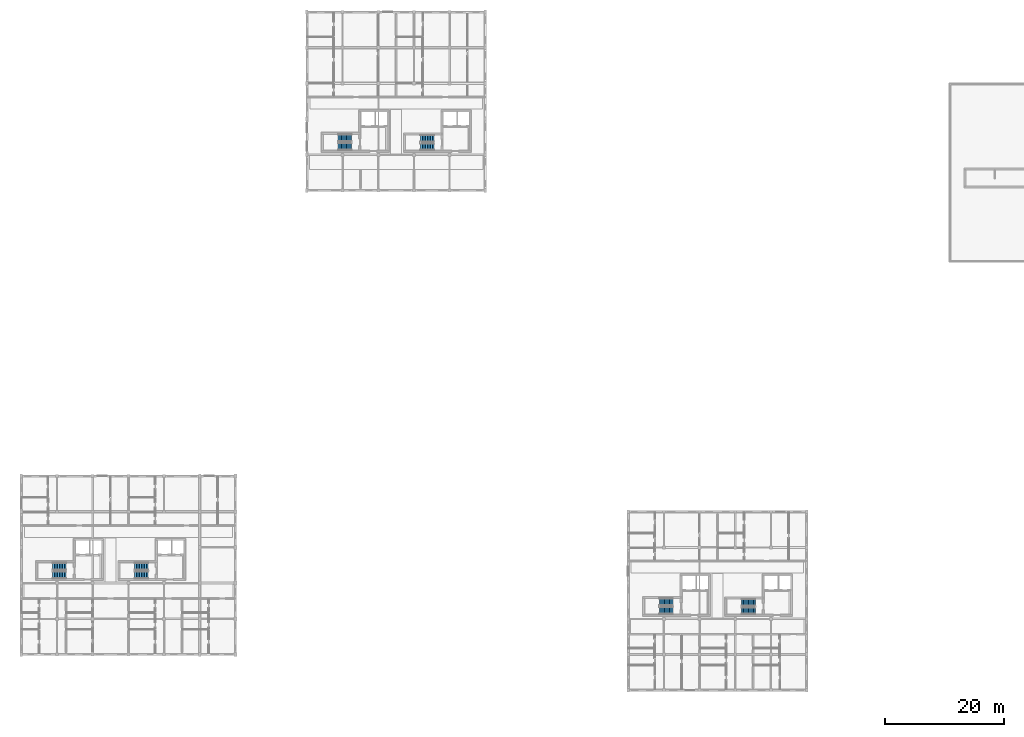
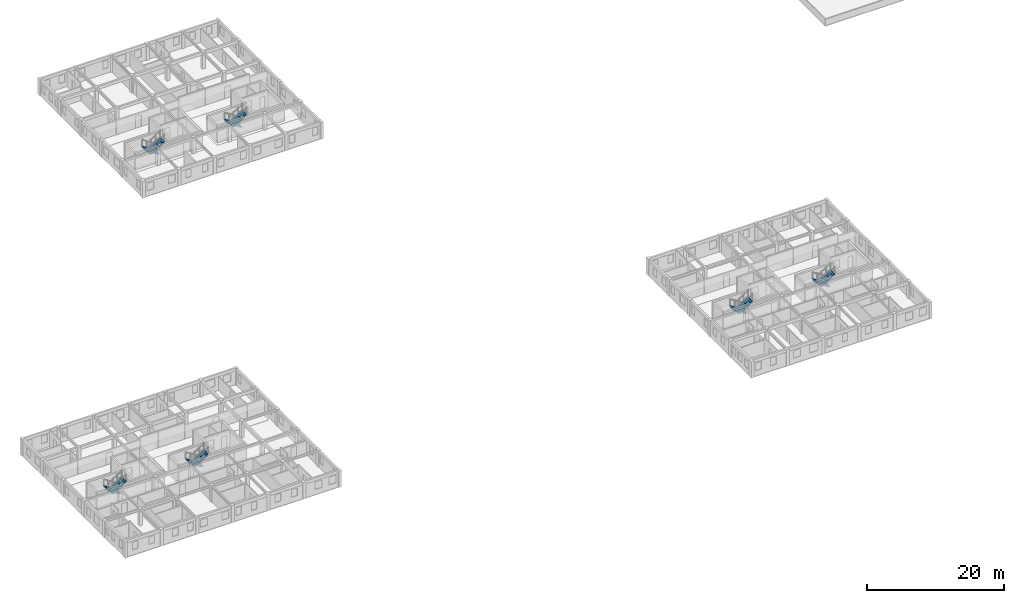
# One storey, part 19 of 23: 12 stair flights, 6 elements without a shape of their own.
"""IFC4 building model written with IfcOpenShell, lengths in metres."""

from ifc_helpers import new_model, si_unit, direction, frame, origin, place, context, subcontext, project, spatial, polyline, outline, extrude, material, type_object, element, aggregate, save


model = new_model("IFC4")

# Units and contexts
model_context = context("Model", 3, precision=1e-05, world=origin(), true_north=direction((0.0, 1.0)))
body_context = subcontext(model_context, "Body", "Model", "MODEL_VIEW")
ifc_project = project(units=[si_unit("LENGTHUNIT", "METRE"), si_unit("AREAUNIT", "SQUARE_METRE"), si_unit("VOLUMEUNIT", "CUBIC_METRE"), si_unit("PLANEANGLEUNIT", "RADIAN"), si_unit("MASSUNIT", "GRAM", prefix="KILO"), si_unit("POWERUNIT", "WATT"), si_unit("THERMODYNAMICTEMPERATUREUNIT", "KELVIN")], contexts=[model_context])

# Site, building, storey
site_placement = place(None, origin())
site = spatial("IfcSite", under=ifc_project, at=site_placement, CompositionType="ELEMENT")
building_placement = place(site_placement, origin())
building = spatial("IfcBuilding", under=site, at=building_placement, Name="Ruvembo Vaulted Housing Court", CompositionType="ELEMENT")
storey_placement = place(building_placement, frame((0.0, 0.0, 26.89990234375)))
storey = spatial("IfcBuildingStorey", under=building, at=storey_placement, Name="L08", CompositionType="ELEMENT", Elevation=26.89990234375)

# Stair, stair flights
ifc_material = material(Name="Concrete C35/45", Category="concrete")
stair_type_1 = type_object("IfcStairType", Name="STR-CORE-1200", PredefinedType="HALF_TURN_STAIR", material=ifc_material)
stair_1_placement = place(storey_placement, origin())
stair_1 = element("IfcStair", 1, at=stair_1_placement, inside=storey, type_object=stair_type_1, Name="L08 Protected Exit Stair ST-B2", PredefinedType="HALF_TURN_STAIR")
stair_flight_type_1 = type_object("IfcStairFlightType", Name="SFL-1200", PredefinedType="STRAIGHT", material=ifc_material)
stair_flight_1_placement = place(storey_placement, frame((69.35009765625, 92.75, 0.0), z_axis=(0.0, 0.0, 1.0), x_axis=(-1.0, 0.0, 0.0)))
stair_flight_1 = element("IfcStairFlight", 2, at=stair_flight_1_placement, type_object=stair_flight_type_1, Name="ST-B2 flight 1", NumberOfRisers=9, NumberOfTreads=8, PredefinedType="STRAIGHT", RiserHeight=0.177777778, TreadLength=0.28, context=body_context, shape_type="SweptSolid", body=[
    extrude(outline(polyline([(-0.02490234375, -0.0400390625), (-0.02490234375, 0.0), (0.0, 0.0), (0.0, 0.177734375), (0.280029296875, 0.177734375), (0.280029296875, 0.35546875), (0.56005859375, 0.35546875), (0.56005859375, 0.533447265625), (0.840087890625, 0.533447265625), (0.840087890625, 0.711181640625), (1.1201171875, 0.711181640625), (1.1201171875, 0.888916015625), (1.39990234375, 0.888916015625), (1.39990234375, 1.066650390625), (1.679931640625, 1.066650390625), (1.679931640625, 1.244384765625), (1.9599609375, 1.244384765625), (1.9599609375, 1.422119140625), (2.239990234375, 1.422119140625), (2.239990234375, 1.60009765625), (2.264892578125, 1.60009765625), (2.264892578125, 1.4501953125), (2.239990234375, 1.24462890625), (0.27978515625, 0.0), (0.0, -0.0400390625), (-0.02490234375, -0.0400390625)])), frame((0.0, 0.60009765625, 0.0), z_axis=(0.0, -1.0, 0.0), x_axis=(1.0, 0.0, 0.0)), (0.0, 0.0, 1.0), 1.199951171875),
])
stair_flight_2_placement = place(storey_placement, frame((67.110107421875, 91.35009765625, 1.60009765625), z_axis=(0.0, 0.0, 1.0), x_axis=(1.0, 0.0, 0.0)))
stair_flight_2 = element("IfcStairFlight", 3, at=stair_flight_2_placement, type_object=stair_flight_type_1, Name="ST-B2 flight 2", NumberOfRisers=9, NumberOfTreads=8, PredefinedType="STRAIGHT", RiserHeight=0.177777778, TreadLength=0.28, context=body_context, shape_type="SweptSolid", body=[
    extrude(outline(polyline([(-0.02490234375, -0.0400390625), (-0.02490234375, 0.0), (0.0, 0.0), (0.0, 0.177734375), (0.280029296875, 0.177734375), (0.280029296875, 0.35546875), (0.56005859375, 0.35546875), (0.56005859375, 0.533447265625), (0.840087890625, 0.533447265625), (0.840087890625, 0.711181640625), (1.1201171875, 0.711181640625), (1.1201171875, 0.888916015625), (1.39990234375, 0.888916015625), (1.39990234375, 1.066650390625), (1.679931640625, 1.066650390625), (1.679931640625, 1.244384765625), (1.9599609375, 1.244384765625), (1.9599609375, 1.422119140625), (2.239990234375, 1.422119140625), (2.239990234375, 1.60009765625), (2.264892578125, 1.60009765625), (2.264892578125, 1.4501953125), (2.239990234375, 1.24462890625), (0.27978515625, 0.0), (0.0, -0.0400390625), (-0.02490234375, -0.0400390625)])), frame((0.0, 0.60009765625, 0.0), z_axis=(0.0, -1.0, 0.0), x_axis=(1.0, 0.0, 0.0)), (0.0, 0.0, 1.0), 1.199951171875),
])
aggregate(stair_1, [stair_flight_1, stair_flight_2])

stair_2_placement = place(storey_placement, origin())
stair_2 = element("IfcStair", 4, at=stair_2_placement, inside=storey, type_object=stair_type_1, Name="L08 Protected Exit Stair ST-C2", PredefinedType="HALF_TURN_STAIR")
stair_flight_3_placement = place(storey_placement, frame((123.35009765625, 14.75, 0.0), z_axis=(0.0, 0.0, 1.0), x_axis=(-1.0, 0.0, 0.0)))
stair_flight_3 = element("IfcStairFlight", 5, at=stair_flight_3_placement, type_object=stair_flight_type_1, Name="ST-C2 flight 1", NumberOfRisers=9, NumberOfTreads=8, PredefinedType="STRAIGHT", RiserHeight=0.177777778, TreadLength=0.28, context=body_context, shape_type="SweptSolid", body=[
    extrude(outline(polyline([(-0.02490234375, -0.0400390625), (-0.02490234375, 0.0), (0.0, 0.0), (0.0, 0.177734375), (0.280029296875, 0.177734375), (0.280029296875, 0.35546875), (0.56005859375, 0.35546875), (0.56005859375, 0.533447265625), (0.840087890625, 0.533447265625), (0.840087890625, 0.711181640625), (1.1201171875, 0.711181640625), (1.1201171875, 0.888916015625), (1.39990234375, 0.888916015625), (1.39990234375, 1.066650390625), (1.679931640625, 1.066650390625), (1.679931640625, 1.244384765625), (1.9599609375, 1.244384765625), (1.9599609375, 1.422119140625), (2.239990234375, 1.422119140625), (2.239990234375, 1.60009765625), (2.264892578125, 1.60009765625), (2.264892578125, 1.4501953125), (2.239990234375, 1.24462890625), (0.27978515625, 0.0), (0.0, -0.0400390625), (-0.02490234375, -0.0400390625)])), frame((0.0, 0.60009765625, 0.0), z_axis=(0.0, -1.0, 0.0), x_axis=(1.0, 0.0, 0.0)), (0.0, 0.0, 1.0), 1.199951171875),
])
stair_flight_4_placement = place(storey_placement, frame((121.110107421875, 13.35009765625, 1.60009765625), z_axis=(0.0, 0.0, 1.0), x_axis=(1.0, 0.0, 0.0)))
stair_flight_4 = element("IfcStairFlight", 6, at=stair_flight_4_placement, type_object=stair_flight_type_1, Name="ST-C2 flight 2", NumberOfRisers=9, NumberOfTreads=8, PredefinedType="STRAIGHT", RiserHeight=0.177777778, TreadLength=0.28, context=body_context, shape_type="SweptSolid", body=[
    extrude(outline(polyline([(-0.02490234375, -0.0400390625), (-0.02490234375, 0.0), (0.0, 0.0), (0.0, 0.177734375), (0.280029296875, 0.177734375), (0.280029296875, 0.35546875), (0.56005859375, 0.35546875), (0.56005859375, 0.533447265625), (0.840087890625, 0.533447265625), (0.840087890625, 0.711181640625), (1.1201171875, 0.711181640625), (1.1201171875, 0.888916015625), (1.39990234375, 0.888916015625), (1.39990234375, 1.066650390625), (1.679931640625, 1.066650390625), (1.679931640625, 1.244384765625), (1.9599609375, 1.244384765625), (1.9599609375, 1.422119140625), (2.239990234375, 1.422119140625), (2.239990234375, 1.60009765625), (2.264892578125, 1.60009765625), (2.264892578125, 1.4501953125), (2.239990234375, 1.24462890625), (0.27978515625, 0.0), (0.0, -0.0400390625), (-0.02490234375, -0.0400390625)])), frame((0.0, 0.60009765625, 0.0), z_axis=(0.0, -1.0, 0.0), x_axis=(1.0, 0.0, 0.0)), (0.0, 0.0, 1.0), 1.199951171875),
])
aggregate(stair_2, [stair_flight_3, stair_flight_4])

stair_type_2 = type_object("IfcStairType", Name="STR-CORE-1250", PredefinedType="HALF_TURN_STAIR", material=ifc_material)
stair_3_placement = place(storey_placement, origin())
stair_3 = element("IfcStair", 7, at=stair_3_placement, inside=storey, type_object=stair_type_2, Name="L08 Protected Exit Stair ST-A1", PredefinedType="HALF_TURN_STAIR")
stair_flight_type_2 = type_object("IfcStairFlightType", Name="SFL-1250", PredefinedType="STRAIGHT", material=ifc_material)
stair_flight_5_placement = place(storey_placement, frame((7.5, 20.824951171875, 0.0), z_axis=(0.0, 0.0, 1.0), x_axis=(-1.0, 0.0, 0.0)))
stair_flight_5 = element("IfcStairFlight", 8, at=stair_flight_5_placement, type_object=stair_flight_type_2, Name="ST-A1 flight 1", NumberOfRisers=9, NumberOfTreads=8, PredefinedType="STRAIGHT", RiserHeight=0.177777778, TreadLength=0.28, context=body_context, shape_type="SweptSolid", body=[
    extrude(outline(polyline([(-0.02490234375, -0.0400390625), (-0.02490234375, 0.0), (0.0, 0.0), (0.0, 0.177734375), (0.280029296875, 0.177734375), (0.280029296875, 0.35546875), (0.56005859375, 0.35546875), (0.56005859375, 0.533447265625), (0.840087890625, 0.533447265625), (0.840087890625, 0.711181640625), (1.1201171875, 0.711181640625), (1.1201171875, 0.888916015625), (1.39990234375, 0.888916015625), (1.39990234375, 1.066650390625), (1.679931640625, 1.066650390625), (1.679931640625, 1.244384765625), (1.9599609375, 1.244384765625), (1.9599609375, 1.422119140625), (2.239990234375, 1.422119140625), (2.239990234375, 1.60009765625), (2.264892578125, 1.60009765625), (2.264892578125, 1.4501953125), (2.239990234375, 1.24462890625), (0.27978515625, 0.0), (0.0, -0.0400390625), (-0.02490234375, -0.0400390625)])), frame((0.0, 0.625, 0.0), z_axis=(0.0, -1.0, 0.0), x_axis=(1.0, 0.0, 0.0)), (0.0, 0.0, 1.0), 1.25),
])
stair_flight_6_placement = place(storey_placement, frame((5.260009765625, 19.375, 1.60009765625), z_axis=(0.0, 0.0, 1.0), x_axis=(1.0, 0.0, 0.0)))
stair_flight_6 = element("IfcStairFlight", 9, at=stair_flight_6_placement, type_object=stair_flight_type_2, Name="ST-A1 flight 2", NumberOfRisers=9, NumberOfTreads=8, PredefinedType="STRAIGHT", RiserHeight=0.177777778, TreadLength=0.28, context=body_context, shape_type="SweptSolid", body=[
    extrude(outline(polyline([(-0.02490234375, -0.0400390625), (-0.02490234375, 0.0), (0.0, 0.0), (0.0, 0.177734375), (0.280029296875, 0.177734375), (0.280029296875, 0.35546875), (0.56005859375, 0.35546875), (0.56005859375, 0.533447265625), (0.840087890625, 0.533447265625), (0.840087890625, 0.711181640625), (1.1201171875, 0.711181640625), (1.1201171875, 0.888916015625), (1.39990234375, 0.888916015625), (1.39990234375, 1.066650390625), (1.679931640625, 1.066650390625), (1.679931640625, 1.244384765625), (1.9599609375, 1.244384765625), (1.9599609375, 1.422119140625), (2.239990234375, 1.422119140625), (2.239990234375, 1.60009765625), (2.264892578125, 1.60009765625), (2.264892578125, 1.4501953125), (2.239990234375, 1.24462890625), (0.27978515625, 0.0), (0.0, -0.0400390625), (-0.02490234375, -0.0400390625)])), frame((0.0, 0.625, 0.0), z_axis=(0.0, -1.0, 0.0), x_axis=(1.0, 0.0, 0.0)), (0.0, 0.0, 1.0), 1.25),
])
aggregate(stair_3, [stair_flight_5, stair_flight_6])

stair_4_placement = place(storey_placement, origin())
stair_4 = element("IfcStair", 10, at=stair_4_placement, inside=storey, type_object=stair_type_2, Name="L08 Protected Exit Stair ST-A2", PredefinedType="HALF_TURN_STAIR")
stair_flight_7_placement = place(storey_placement, frame((21.300048828125, 20.824951171875, 0.0), z_axis=(0.0, 0.0, 1.0), x_axis=(-1.0, 0.0, 0.0)))
stair_flight_7 = element("IfcStairFlight", 11, at=stair_flight_7_placement, type_object=stair_flight_type_2, Name="ST-A2 flight 1", NumberOfRisers=9, NumberOfTreads=8, PredefinedType="STRAIGHT", RiserHeight=0.177777778, TreadLength=0.28, context=body_context, shape_type="SweptSolid", body=[
    extrude(outline(polyline([(-0.02490234375, -0.0400390625), (-0.02490234375, 0.0), (0.0, 0.0), (0.0, 0.177734375), (0.280029296875, 0.177734375), (0.280029296875, 0.35546875), (0.56005859375, 0.35546875), (0.56005859375, 0.533447265625), (0.840087890625, 0.533447265625), (0.840087890625, 0.711181640625), (1.1201171875, 0.711181640625), (1.1201171875, 0.888916015625), (1.39990234375, 0.888916015625), (1.39990234375, 1.066650390625), (1.679931640625, 1.066650390625), (1.679931640625, 1.244384765625), (1.9599609375, 1.244384765625), (1.9599609375, 1.422119140625), (2.239990234375, 1.422119140625), (2.239990234375, 1.60009765625), (2.264892578125, 1.60009765625), (2.264892578125, 1.4501953125), (2.239990234375, 1.24462890625), (0.27978515625, 0.0), (0.0, -0.0400390625), (-0.02490234375, -0.0400390625)])), frame((0.0, 0.625, 0.0), z_axis=(0.0, -1.0, 0.0), x_axis=(1.0, 0.0, 0.0)), (0.0, 0.0, 1.0), 1.25),
])
stair_flight_8_placement = place(storey_placement, frame((19.06005859375, 19.375, 1.60009765625), z_axis=(0.0, 0.0, 1.0), x_axis=(1.0, 0.0, 0.0)))
stair_flight_8 = element("IfcStairFlight", 12, at=stair_flight_8_placement, type_object=stair_flight_type_2, Name="ST-A2 flight 2", NumberOfRisers=9, NumberOfTreads=8, PredefinedType="STRAIGHT", RiserHeight=0.177777778, TreadLength=0.28, context=body_context, shape_type="SweptSolid", body=[
    extrude(outline(polyline([(-0.02490234375, -0.0400390625), (-0.02490234375, 0.0), (0.0, 0.0), (0.0, 0.177734375), (0.280029296875, 0.177734375), (0.280029296875, 0.35546875), (0.56005859375, 0.35546875), (0.56005859375, 0.533447265625), (0.840087890625, 0.533447265625), (0.840087890625, 0.711181640625), (1.1201171875, 0.711181640625), (1.1201171875, 0.888916015625), (1.39990234375, 0.888916015625), (1.39990234375, 1.066650390625), (1.679931640625, 1.066650390625), (1.679931640625, 1.244384765625), (1.9599609375, 1.244384765625), (1.9599609375, 1.422119140625), (2.239990234375, 1.422119140625), (2.239990234375, 1.60009765625), (2.264892578125, 1.60009765625), (2.264892578125, 1.4501953125), (2.239990234375, 1.24462890625), (0.27978515625, 0.0), (0.0, -0.0400390625), (-0.02490234375, -0.0400390625)])), frame((0.0, 0.625, 0.0), z_axis=(0.0, -1.0, 0.0), x_axis=(1.0, 0.0, 0.0)), (0.0, 0.0, 1.0), 1.25),
])
aggregate(stair_4, [stair_flight_7, stair_flight_8])

stair_5_placement = place(storey_placement, origin())
stair_5 = element("IfcStair", 13, at=stair_5_placement, inside=storey, type_object=stair_type_2, Name="L08 Protected Exit Stair ST-B1", PredefinedType="HALF_TURN_STAIR")
stair_flight_9_placement = place(storey_placement, frame((55.5, 92.824951171875, 0.0), z_axis=(0.0, 0.0, 1.0), x_axis=(-1.0, 0.0, 0.0)))
stair_flight_9 = element("IfcStairFlight", 14, at=stair_flight_9_placement, type_object=stair_flight_type_2, Name="ST-B1 flight 1", NumberOfRisers=9, NumberOfTreads=8, PredefinedType="STRAIGHT", RiserHeight=0.177777778, TreadLength=0.28, context=body_context, shape_type="SweptSolid", body=[
    extrude(outline(polyline([(-0.02490234375, -0.0400390625), (-0.02490234375, 0.0), (0.0, 0.0), (0.0, 0.177734375), (0.280029296875, 0.177734375), (0.280029296875, 0.35546875), (0.56005859375, 0.35546875), (0.56005859375, 0.533447265625), (0.840087890625, 0.533447265625), (0.840087890625, 0.711181640625), (1.1201171875, 0.711181640625), (1.1201171875, 0.888916015625), (1.39990234375, 0.888916015625), (1.39990234375, 1.066650390625), (1.679931640625, 1.066650390625), (1.679931640625, 1.244384765625), (1.9599609375, 1.244384765625), (1.9599609375, 1.422119140625), (2.239990234375, 1.422119140625), (2.239990234375, 1.60009765625), (2.264892578125, 1.60009765625), (2.264892578125, 1.4501953125), (2.239990234375, 1.24462890625), (0.27978515625, 0.0), (0.0, -0.0400390625), (-0.02490234375, -0.0400390625)])), frame((0.0, 0.625, 0.0), z_axis=(0.0, -1.0, 0.0), x_axis=(1.0, 0.0, 0.0)), (0.0, 0.0, 1.0), 1.25),
])
stair_flight_10_placement = place(storey_placement, frame((53.260009765625, 91.375, 1.60009765625), z_axis=(0.0, 0.0, 1.0), x_axis=(1.0, 0.0, 0.0)))
stair_flight_10 = element("IfcStairFlight", 15, at=stair_flight_10_placement, type_object=stair_flight_type_2, Name="ST-B1 flight 2", NumberOfRisers=9, NumberOfTreads=8, PredefinedType="STRAIGHT", RiserHeight=0.177777778, TreadLength=0.28, context=body_context, shape_type="SweptSolid", body=[
    extrude(outline(polyline([(-0.02490234375, -0.0400390625), (-0.02490234375, 0.0), (0.0, 0.0), (0.0, 0.177734375), (0.280029296875, 0.177734375), (0.280029296875, 0.35546875), (0.56005859375, 0.35546875), (0.56005859375, 0.533447265625), (0.840087890625, 0.533447265625), (0.840087890625, 0.711181640625), (1.1201171875, 0.711181640625), (1.1201171875, 0.888916015625), (1.39990234375, 0.888916015625), (1.39990234375, 1.066650390625), (1.679931640625, 1.066650390625), (1.679931640625, 1.244384765625), (1.9599609375, 1.244384765625), (1.9599609375, 1.422119140625), (2.239990234375, 1.422119140625), (2.239990234375, 1.60009765625), (2.264892578125, 1.60009765625), (2.264892578125, 1.4501953125), (2.239990234375, 1.24462890625), (0.27978515625, 0.0), (0.0, -0.0400390625), (-0.02490234375, -0.0400390625)])), frame((0.0, 0.625, 0.0), z_axis=(0.0, -1.0, 0.0), x_axis=(1.0, 0.0, 0.0)), (0.0, 0.0, 1.0), 1.25),
])
aggregate(stair_5, [stair_flight_9, stair_flight_10])

stair_6_placement = place(storey_placement, origin())
stair_6 = element("IfcStair", 16, at=stair_6_placement, inside=storey, type_object=stair_type_2, Name="L08 Protected Exit Stair ST-C1", PredefinedType="HALF_TURN_STAIR")
stair_flight_11_placement = place(storey_placement, frame((109.5, 14.824951171875, 0.0), z_axis=(0.0, 0.0, 1.0), x_axis=(-1.0, 0.0, 0.0)))
stair_flight_11 = element("IfcStairFlight", 17, at=stair_flight_11_placement, type_object=stair_flight_type_2, Name="ST-C1 flight 1", NumberOfRisers=9, NumberOfTreads=8, PredefinedType="STRAIGHT", RiserHeight=0.177777778, TreadLength=0.28, context=body_context, shape_type="SweptSolid", body=[
    extrude(outline(polyline([(-0.02490234375, -0.0400390625), (-0.02490234375, 0.0), (0.0, 0.0), (0.0, 0.177734375), (0.280029296875, 0.177734375), (0.280029296875, 0.35546875), (0.56005859375, 0.35546875), (0.56005859375, 0.533447265625), (0.840087890625, 0.533447265625), (0.840087890625, 0.711181640625), (1.1201171875, 0.711181640625), (1.1201171875, 0.888916015625), (1.39990234375, 0.888916015625), (1.39990234375, 1.066650390625), (1.679931640625, 1.066650390625), (1.679931640625, 1.244384765625), (1.9599609375, 1.244384765625), (1.9599609375, 1.422119140625), (2.239990234375, 1.422119140625), (2.239990234375, 1.60009765625), (2.264892578125, 1.60009765625), (2.264892578125, 1.4501953125), (2.239990234375, 1.24462890625), (0.27978515625, 0.0), (0.0, -0.0400390625), (-0.02490234375, -0.0400390625)])), frame((0.0, 0.625, 0.0), z_axis=(0.0, -1.0, 0.0), x_axis=(1.0, 0.0, 0.0)), (0.0, 0.0, 1.0), 1.25),
])
stair_flight_12_placement = place(storey_placement, frame((107.260009765625, 13.375, 1.60009765625), z_axis=(0.0, 0.0, 1.0), x_axis=(1.0, 0.0, 0.0)))
stair_flight_12 = element("IfcStairFlight", 18, at=stair_flight_12_placement, type_object=stair_flight_type_2, Name="ST-C1 flight 2", NumberOfRisers=9, NumberOfTreads=8, PredefinedType="STRAIGHT", RiserHeight=0.177777778, TreadLength=0.28, context=body_context, shape_type="SweptSolid", body=[
    extrude(outline(polyline([(-0.02490234375, -0.0400390625), (-0.02490234375, 0.0), (0.0, 0.0), (0.0, 0.177734375), (0.280029296875, 0.177734375), (0.280029296875, 0.35546875), (0.56005859375, 0.35546875), (0.56005859375, 0.533447265625), (0.840087890625, 0.533447265625), (0.840087890625, 0.711181640625), (1.1201171875, 0.711181640625), (1.1201171875, 0.888916015625), (1.39990234375, 0.888916015625), (1.39990234375, 1.066650390625), (1.679931640625, 1.066650390625), (1.679931640625, 1.244384765625), (1.9599609375, 1.244384765625), (1.9599609375, 1.422119140625), (2.239990234375, 1.422119140625), (2.239990234375, 1.60009765625), (2.264892578125, 1.60009765625), (2.264892578125, 1.4501953125), (2.239990234375, 1.24462890625), (0.27978515625, 0.0), (0.0, -0.0400390625), (-0.02490234375, -0.0400390625)])), frame((0.0, 0.625, 0.0), z_axis=(0.0, -1.0, 0.0), x_axis=(1.0, 0.0, 0.0)), (0.0, 0.0, 1.0), 1.25),
])
aggregate(stair_6, [stair_flight_11, stair_flight_12])

save(model, "model.ifc")
